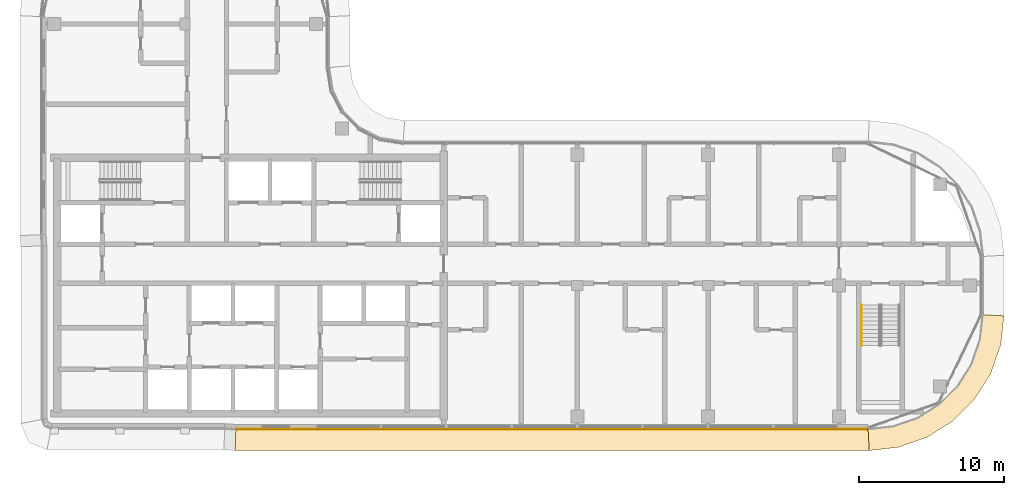
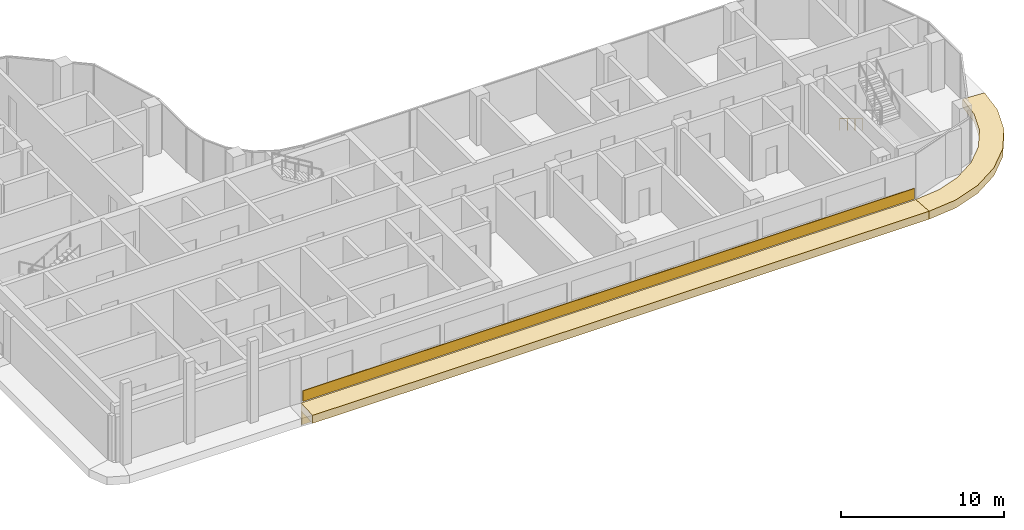
# One storey, part 20 of 22: 4 coverings, 1 railing.
"""IFC4 building model written with IfcOpenShell, lengths in metres."""

from ifc_helpers import new_model, si_unit, direction, frame, origin, origin_2d, place, context, subcontext, project, spatial, polyline, rectangle, circle, outline, extrude, material, layer, layer_set, type_object, element, save


model = new_model("IFC4")

# Units and contexts
model_context = context("Model", 3, precision=1e-05, world=origin(), true_north=direction((0.0, 1.0)))
body_context = subcontext(model_context, "Body", "Model", "MODEL_VIEW")
ifc_project = project(units=[si_unit("LENGTHUNIT", "METRE"), si_unit("AREAUNIT", "SQUARE_METRE"), si_unit("VOLUMEUNIT", "CUBIC_METRE"), si_unit("PLANEANGLEUNIT", "RADIAN"), si_unit("MASSUNIT", "GRAM", prefix="KILO")], contexts=[model_context])

# Site, building, storey
site_placement = place(None, origin())
site = spatial("IfcSite", under=ifc_project, at=site_placement, CompositionType="ELEMENT")
building_placement = place(site_placement, origin())
building = spatial("IfcBuilding", under=site, at=building_placement, Name="Ogive Portal Towers", CompositionType="ELEMENT")
storey_placement = place(building_placement, frame((0.0, 0.0, 206.89990234375)))
storey = spatial("IfcBuildingStorey", under=building, at=storey_placement, Name="L51", CompositionType="ELEMENT", Elevation=206.89990234375)

# Railing
ifc_material_1 = material(Name="Stainless steel handrail", Category="steel")
railing_type = type_object("IfcRailingType", Name="INT-HANDRAIL", PredefinedType="HANDRAIL", material=ifc_material_1)
railing_placement = place(storey_placement, frame((87.050048828125, 29.169921875, 0.168212890625)))
element("IfcRailing", 1, at=railing_placement, inside=storey, type_object=railing_type, Name="L51 ST-A4 stair handrail 1", PredefinedType="HANDRAIL", context=body_context, shape_type="SweptSolid", body=[
    extrude(circle(Radius=0.02392578125, at=origin_2d()), frame((0.0, 0.0, 0.8759765625), z_axis=(0.0, -0.857222391501, 0.514946377315), x_axis=(1.0, 0.0, 0.0)), (0.0, 0.0, 1.0), 3.26611328125),
    extrude(circle(Radius=0.02099609375, at=origin_2d()), origin(), (0.0, 0.0, 1.0), 0.851806640625),
    extrude(circle(Radius=0.02099609375, at=origin_2d()), frame((0.0, -0.933349609375, 0.560546875)), (0.0, 0.0, 1.0), 0.851806640625),
    extrude(circle(Radius=0.02099609375, at=origin_2d()), frame((0.0, -1.866455078125, 1.121337890625)), (0.0, 0.0, 1.0), 0.851806640625),
    extrude(circle(Radius=0.02099609375, at=origin_2d()), frame((0.0, -2.7998046875, 1.681884765625)), (0.0, 0.0, 1.0), 0.851806640625),
])

# Coverings
ifc_material_2 = material(Name="Limestone cladding on lightweight block wall", Category="masonry")
ifc_layer_1 = layer(ifc_material_2, 0.050048828125)
ifc_layer_set_1 = layer_set([ifc_layer_1], Name="SCREEN PERFORATED STONE")
covering_type_1 = type_object("IfcCoveringType", Name="SCREEN PERFORATED STONE", PredefinedType="CLADDING", material=ifc_layer_set_1)
covering_1_placement = place(storey_placement, frame((65.74853515625, 20.6201171875, 0.10009765625), z_axis=(0.0, 0.0, 1.0), x_axis=(1.0, 0.0, 0.0)))
element("IfcCovering", 2, at=covering_1_placement, inside=storey, type_object=covering_type_1, Name="Tracery screen", PredefinedType="CLADDING", context=body_context, shape_type="SweptSolid", body=[
    extrude(rectangle(XDim=43.275634765625, YDim=0.050048828125, at=origin_2d()), origin(), (0.0, 0.0, 1.0), 0.800048828125),
])
ifc_layer_2 = layer(ifc_material_2, 0.080078125)
ifc_layer_set_2 = layer_set([ifc_layer_2], Name="STONE SPANDREL 80")
covering_type_2 = type_object("IfcCoveringType", Name="STONE SPANDREL 80", PredefinedType="CLADDING", material=ifc_layer_set_2)
covering_2_placement = place(storey_placement, frame((0.0, 0.0, -1.599853515625)))
element("IfcCovering", 3, at=covering_2_placement, inside=storey, type_object=covering_type_2, Name="Stone spandrel A1-F05", PredefinedType="CLADDING", context=body_context, shape_type="SweptSolid", body=[
    extrude(outline(polyline([(44.0, 20.64501953125), (87.5, 20.64501953125), (87.50439453125, 20.56494140625), (43.9970703125, 20.56494140625), (44.0, 20.64501953125)])), origin(), (0.0, 0.0, 1.0), 1.0),
])
ifc_layer_3 = layer(ifc_material_2, 0.60009765625)
ifc_layer_set_3 = layer_set([ifc_layer_3], Name="SUNSHADE LIP 600")
covering_type_3 = type_object("IfcCoveringType", Name="SUNSHADE LIP 600", PredefinedType="CLADDING", material=ifc_layer_set_3)
covering_3_placement = place(storey_placement, frame((0.0, 0.0, -0.599853515625)))
element("IfcCovering", 4, at=covering_3_placement, inside=storey, type_object=covering_type_3, Name="Sunshade lip A1-F05", PredefinedType="CLADDING", context=body_context, shape_type="SweptSolid", body=[
    extrude(outline(polyline([(44.0, 20.64501953125), (87.5, 20.64501953125), (87.584228515625, 19.14501953125), (43.946533203125, 19.14501953125), (44.0, 20.64501953125)])), origin(), (0.0, 0.0, 1.0), 0.599853515625),
])
covering_4_placement = place(storey_placement, frame((0.0, 0.0, -0.599853515625)))
element("IfcCovering", 5, at=covering_4_placement, inside=storey, type_object=covering_type_3, Name="Sunshade lip A1-F06", PredefinedType="CLADDING", context=body_context, shape_type="SweptSolid", body=[
    extrude(outline(polyline([(87.5, 20.64501953125), (89.247802734375, 20.842041015625), (90.908203125, 21.4228515625), (92.3974609375, 22.358642578125), (93.641357421875, 23.6025390625), (94.5771484375, 25.091796875), (95.157958984375, 26.752197265625), (95.35498046875, 28.5), (96.85498046875, 28.415771484375), (96.629638671875, 26.416259765625), (95.93701171875, 24.43701171875), (94.821533203125, 22.661376953125), (93.338623046875, 21.178466796875), (91.56298828125, 20.06298828125), (89.583740234375, 19.370361328125), (87.584228515625, 19.14501953125), (87.5, 20.64501953125)])), origin(), (0.0, 0.0, 1.0), 0.599853515625),
])

save(model, "model.ifc")
